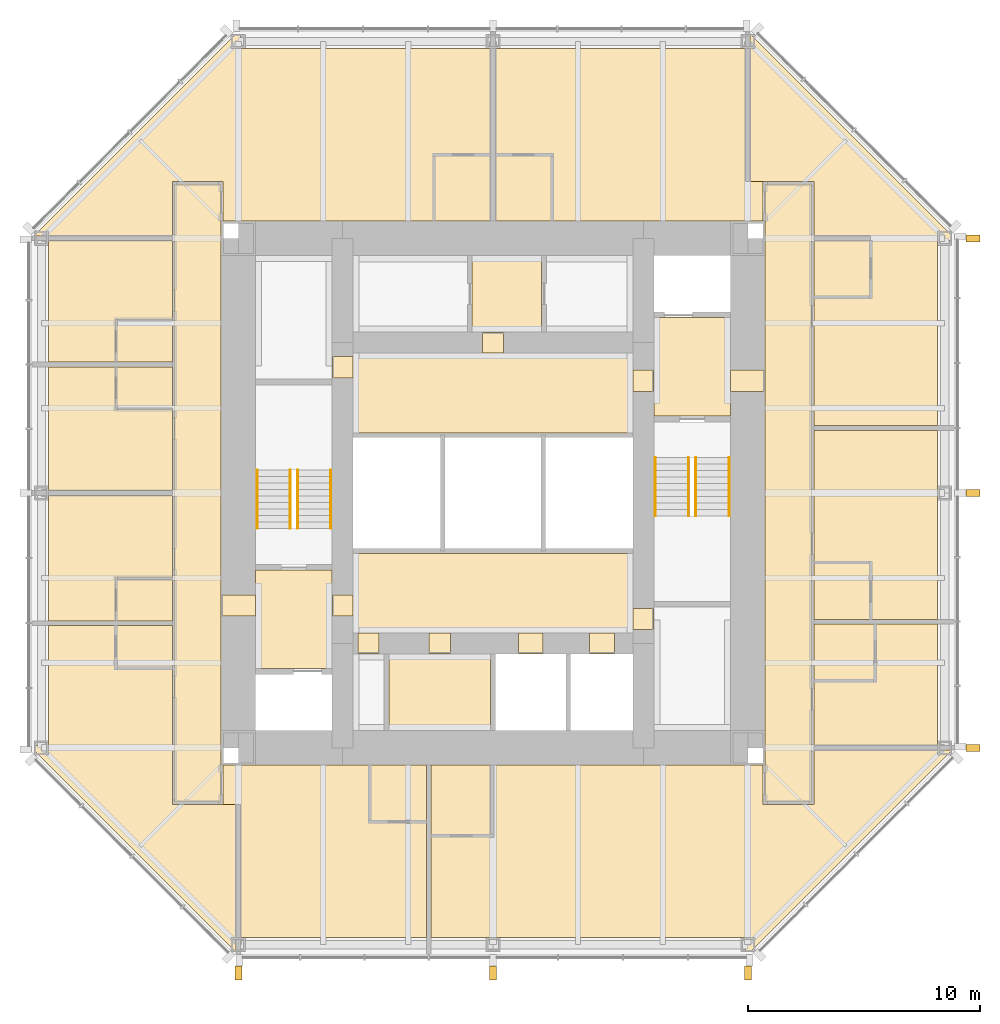
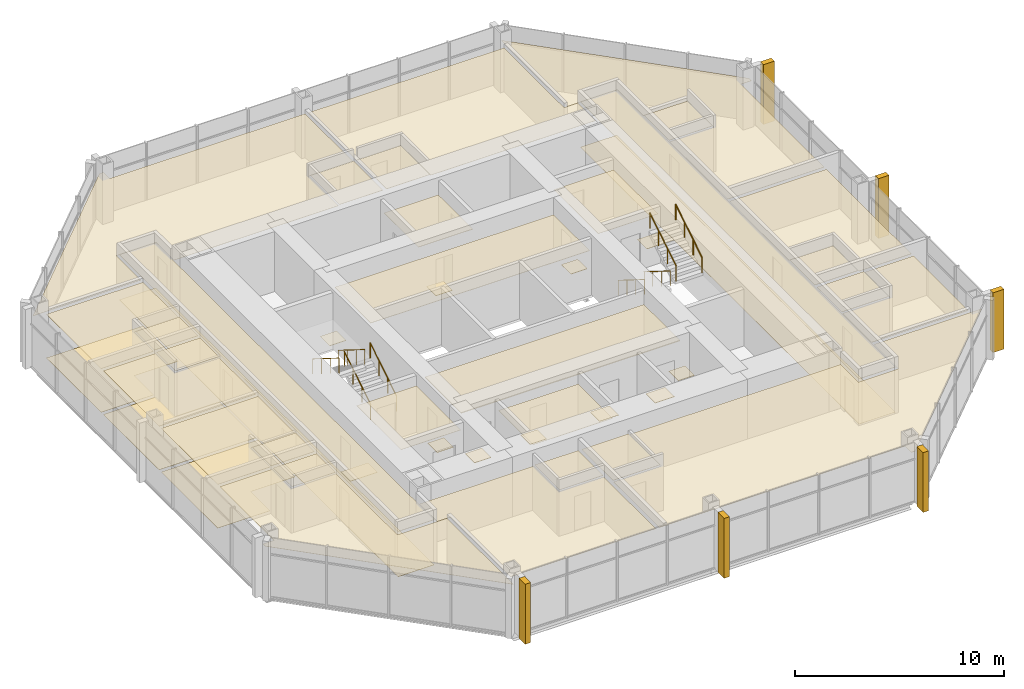
# One storey, part 11 of 11: 52 coverings, 8 railings.
"""IFC4 building model written with IfcOpenShell, lengths in metres."""

from ifc_helpers import new_model, si_unit, direction, frame, origin, origin_2d, place, context, subcontext, project, spatial, polyline, rectangle, circle, outline, extrude, material, layer, layer_set, type_object, element, save


model = new_model("IFC4")

# Units and contexts
model_context = context("Model", 3, precision=1e-05, world=origin(), true_north=direction((0.0, 1.0)))
body_context = subcontext(model_context, "Body", "Model", "MODEL_VIEW")
ifc_project = project(units=[si_unit("LENGTHUNIT", "METRE"), si_unit("AREAUNIT", "SQUARE_METRE"), si_unit("VOLUMEUNIT", "CUBIC_METRE"), si_unit("PLANEANGLEUNIT", "RADIAN"), si_unit("MASSUNIT", "GRAM", prefix="KILO")], contexts=[model_context])

# Site, building, storey
site_placement = place(None, origin())
site = spatial("IfcSite", under=ifc_project, at=site_placement, CompositionType="ELEMENT")
building_placement = place(site_placement, origin())
building = spatial("IfcBuilding", under=site, at=building_placement, Name="Trevanion Tower", CompositionType="ELEMENT")
storey_placement = place(building_placement, frame((0.0, 0.0, 222.199951171875)))
storey = spatial("IfcBuildingStorey", under=building, at=storey_placement, Name="L53", CompositionType="ELEMENT", Elevation=222.199951171875)

# Coverings
ifc_material_1 = material(Name="Fibrous plaster coffers on suspended steel grid", Category="steel")
ifc_layer_1 = layer(ifc_material_1, 0.050048828125)
ifc_layer_set_1 = layer_set([ifc_layer_1], Name="CL1 coffered fibrous plaster ceiling 50")
covering_type_1 = type_object("IfcCoveringType", Name="CL1 coffered fibrous plaster ceiling 50", PredefinedType="CEILING", material=ifc_layer_set_1)
covering_1_placement = place(storey_placement, frame((0.0, 0.0, 2.429931640625)))
element("IfcCovering", 1, at=covering_1_placement, inside=storey, type_object=covering_type_1, Name="CL1 L53-LBS", PredefinedType="CEILING", context=body_context, shape_type="SweptSolid", body=[
    extrude(outline(polyline([(6.050048828125, -6.050048828125), (6.050048828125, -2.60009765625), (-6.050048828125, -2.60009765625), (-6.050048828125, -6.050048828125), (6.050048828125, -6.050048828125)])), origin(), (0.0, 0.0, 1.0), 0.050048828125),
])
ifc_material_2 = material(Name="Mineral fibre acoustic tiles in exposed grid", Category="mineral fibre")
ifc_layer_2 = layer(ifc_material_2, 0.02001953125)
ifc_layer_set_2 = layer_set([ifc_layer_2], Name="CL2 acoustic tile ceiling 20")
covering_type_2 = type_object("IfcCoveringType", Name="CL2 acoustic tile ceiling 20", PredefinedType="CEILING", material=ifc_layer_set_2)
covering_2_placement = place(storey_placement, frame((0.0, 0.0, 2.4599609375)))
element("IfcCovering", 2, at=covering_2_placement, inside=storey, type_object=covering_type_2, Name="CL2 L53-LBN", PredefinedType="CEILING", context=body_context, shape_type="SweptSolid", body=[
    extrude(outline(polyline([(6.050048828125, 2.60009765625), (6.050048828125, 6.050048828125), (-6.050048828125, 6.050048828125), (-6.050048828125, 2.60009765625), (6.050048828125, 2.60009765625)])), origin(), (0.0, 0.0, 1.0), 0.02001953125),
])
covering_3_placement = place(storey_placement, frame((0.0, 0.0, 2.4599609375)))
element("IfcCovering", 3, at=covering_3_placement, inside=storey, type_object=covering_type_2, Name="CL2 L53-HKC", PredefinedType="CEILING", context=body_context, shape_type="SweptSolid", body=[
    extrude(outline(polyline([(2.10009765625, 6.949951171875), (2.10009765625, 10.25), (-0.89990234375, 10.25), (-0.89990234375, 6.949951171875), (2.10009765625, 6.949951171875)])), origin(), (0.0, 0.0, 1.0), 0.02001953125),
])
covering_4_placement = place(storey_placement, frame((0.0, 0.0, 2.633056640625)))
element("IfcCovering", 4, at=covering_4_placement, inside=storey, type_object=covering_type_2, Name="CL2 L53-CO1", PredefinedType="CEILING", context=body_context, shape_type="SweptSolid", body=[
    extrude(outline(polyline([(-11.75, 13.35009765625), (-11.75, -13.35009765625), (-13.75, -13.35009765625), (-13.75, 13.35009765625), (-11.75, 13.35009765625)])), origin(), (0.0, 0.0, 1.0), 0.02001953125),
])
covering_5_placement = place(storey_placement, frame((0.0, 0.0, 2.633056640625)))
element("IfcCovering", 5, at=covering_5_placement, inside=storey, type_object=covering_type_2, Name="CL2 L53-CO2", PredefinedType="CEILING", context=body_context, shape_type="SweptSolid", body=[
    extrude(outline(polyline([(11.75, -13.35009765625), (11.75, 13.35009765625), (13.75, 13.35009765625), (13.75, -13.35009765625), (11.75, -13.35009765625)])), origin(), (0.0, 0.0, 1.0), 0.02001953125),
])
ifc_material_3 = material(Name="Gypsum plasterboard on suspended metal furring", Category="gypsum")
ifc_layer_3 = layer(ifc_material_3, 0.012939453125)
ifc_layer_set_3 = layer_set([ifc_layer_3], Name="CL3 plasterboard ceiling 13")
covering_type_3 = type_object("IfcCoveringType", Name="CL3 plasterboard ceiling 13", PredefinedType="CEILING", material=ifc_layer_set_3)
covering_6_placement = place(storey_placement, frame((0.0, 0.0, 2.699951171875)))
element("IfcCovering", 6, at=covering_6_placement, inside=storey, type_object=covering_type_3, Name="CL3 L53-FV1", PredefinedType="CEILING", context=body_context, shape_type="SweptSolid", body=[
    extrude(outline(polyline([(10.25, 3.324951171875), (10.25, 7.574951171875), (6.949951171875, 7.574951171875), (6.949951171875, 3.324951171875), (10.25, 3.324951171875)])), origin(), (0.0, 0.0, 1.0), 0.01318359375),
])
covering_7_placement = place(storey_placement, frame((0.0, 0.0, 2.699951171875)))
element("IfcCovering", 7, at=covering_7_placement, inside=storey, type_object=covering_type_3, Name="CL3 L53-FV2", PredefinedType="CEILING", context=body_context, shape_type="SweptSolid", body=[
    extrude(outline(polyline([(-10.25, -3.324951171875), (-10.25, -7.574951171875), (-6.949951171875, -7.574951171875), (-6.949951171875, -3.324951171875), (-10.25, -3.324951171875)])), origin(), (0.0, 0.0, 1.0), 0.01318359375),
])
covering_8_placement = place(storey_placement, frame((0.0, 0.0, 2.551025390625)))
element("IfcCovering", 8, at=covering_8_placement, inside=storey, type_object=covering_type_3, Name="CL3 L53-GA", PredefinedType="CEILING", context=body_context, shape_type="SweptSolid", body=[
    extrude(outline(polyline([(13.85009765625, -8.09912109375), (16.5, -8.09912109375), (16.5, -5.64892578125), (19.199951171875, -5.64892578125), (19.199951171875, -10.89990234375), (13.85009765625, -10.89990234375), (13.85009765625, -8.09912109375)])), origin(), (0.0, 0.0, 1.0), 0.012939453125),
])
covering_9_placement = place(storey_placement, frame((0.0, 0.0, 2.551025390625)))
element("IfcCovering", 9, at=covering_9_placement, inside=storey, type_object=covering_type_3, Name="CL3 L53-GJ", PredefinedType="CEILING", context=body_context, shape_type="SweptSolid", body=[
    extrude(outline(polyline([(13.85009765625, 2.70703125), (19.199951171875, 2.70703125), (19.199951171875, -5.448974609375), (16.300048828125, -5.448974609375), (16.300048828125, -2.9990234375), (13.85009765625, -2.9990234375), (13.85009765625, 2.70703125)])), origin(), (0.0, 0.0, 1.0), 0.012939453125),
])
covering_10_placement = place(storey_placement, frame((0.0, 0.0, 2.551025390625)))
element("IfcCovering", 10, at=covering_10_placement, inside=storey, type_object=covering_type_3, Name="CL3 L53-GJ2", PredefinedType="CEILING", context=body_context, shape_type="SweptSolid", body=[
    extrude(outline(polyline([(11.10009765625, 13.449951171875), (11.10009765625, 19.800048828125), (11.124267578125, 19.800048828125), (19.800048828125, 11.124267578125), (19.800048828125, 10.89990234375), (19.199951171875, 10.89990234375), (19.199951171875, 2.906982421875), (13.85009765625, 2.906982421875), (13.85009765625, 8.449951171875), (16.300048828125, 8.449951171875), (16.300048828125, 10.949951171875), (13.85009765625, 10.949951171875), (13.85009765625, 13.449951171875), (11.10009765625, 13.449951171875)])), origin(), (0.0, 0.0, 1.0), 0.012939453125),
])
covering_11_placement = place(storey_placement, frame((0.0, 0.0, 2.551025390625)))
element("IfcCovering", 11, at=covering_11_placement, inside=storey, type_object=covering_type_3, Name="CL3 L53-GB", PredefinedType="CEILING", context=body_context, shape_type="SweptSolid", body=[
    extrude(outline(polyline([(0.10009765625, 19.199951171875), (10.89990234375, 19.199951171875), (10.89990234375, 13.449951171875), (11.64990234375, 13.449951171875), (11.64990234375, 11.75), (2.550048828125, 11.75), (2.550048828125, 14.60009765625), (0.10009765625, 14.60009765625), (0.10009765625, 19.199951171875)])), origin(), (0.0, 0.0, 1.0), 0.012939453125),
])
covering_12_placement = place(storey_placement, frame((0.0, 0.0, 2.551025390625)))
element("IfcCovering", 12, at=covering_12_placement, inside=storey, type_object=covering_type_3, Name="CL3 L53-GB2", PredefinedType="CEILING", context=body_context, shape_type="SweptSolid", body=[
    extrude(outline(polyline([(-13.85009765625, 11.10009765625), (-19.800048828125, 11.10009765625), (-19.800048828125, 11.124267578125), (-11.124267578125, 19.800048828125), (-10.89990234375, 19.800048828125), (-10.89990234375, 19.199951171875), (-0.10009765625, 19.199951171875), (-0.10009765625, 14.60009765625), (-2.550048828125, 14.60009765625), (-2.550048828125, 11.75), (-11.64990234375, 11.75), (-11.64990234375, 13.449951171875), (-13.85009765625, 13.449951171875), (-13.85009765625, 11.10009765625)])), origin(), (0.0, 0.0, 1.0), 0.012939453125),
])
covering_13_placement = place(storey_placement, frame((0.0, 0.0, 2.551025390625)))
element("IfcCovering", 13, at=covering_13_placement, inside=storey, type_object=covering_type_3, Name="CL3 L53-GR", PredefinedType="CEILING", context=body_context, shape_type="SweptSolid", body=[
    extrude(outline(polyline([(-13.85009765625, 7.4990234375), (-16.300048828125, 7.4990234375), (-16.300048828125, 5.64892578125), (-19.199951171875, 5.64892578125), (-19.199951171875, 10.89990234375), (-13.85009765625, 10.89990234375), (-13.85009765625, 7.4990234375)])), origin(), (0.0, 0.0, 1.0), 0.012939453125),
])
covering_14_placement = place(storey_placement, frame((0.0, 0.0, 2.551025390625)))
element("IfcCovering", 14, at=covering_14_placement, inside=storey, type_object=covering_type_3, Name="CL3 L53-GR2", PredefinedType="CEILING", context=body_context, shape_type="SweptSolid", body=[
    extrude(outline(polyline([(-13.85009765625, 0.10009765625), (-19.199951171875, 0.10009765625), (-19.199951171875, 5.448974609375), (-16.300048828125, 5.448974609375), (-16.300048828125, 3.59912109375), (-13.85009765625, 3.59912109375), (-13.85009765625, 0.10009765625)])), origin(), (0.0, 0.0, 1.0), 0.012939453125),
])
covering_15_placement = place(storey_placement, frame((0.0, 0.0, 2.551025390625)))
element("IfcCovering", 15, at=covering_15_placement, inside=storey, type_object=covering_type_3, Name="CL3 L53-GR3", PredefinedType="CEILING", context=body_context, shape_type="SweptSolid", body=[
    extrude(outline(polyline([(-13.85009765625, -3.6640625), (-16.300048828125, -3.6640625), (-16.300048828125, -5.513916015625), (-19.199951171875, -5.513916015625), (-19.199951171875, -0.10009765625), (-13.85009765625, -0.10009765625), (-13.85009765625, -3.6640625)])), origin(), (0.0, 0.0, 1.0), 0.012939453125),
])
covering_16_placement = place(storey_placement, frame((0.0, 0.0, 2.551025390625)))
element("IfcCovering", 16, at=covering_16_placement, inside=storey, type_object=covering_type_3, Name="CL3 L53-GR4", PredefinedType="CEILING", context=body_context, shape_type="SweptSolid", body=[
    extrude(outline(polyline([(-11.10009765625, -13.449951171875), (-11.10009765625, -19.800048828125), (-11.124267578125, -19.800048828125), (-19.800048828125, -11.124267578125), (-19.800048828125, -10.89990234375), (-19.199951171875, -10.89990234375), (-19.199951171875, -5.714111328125), (-16.300048828125, -5.714111328125), (-16.300048828125, -7.56396484375), (-13.85009765625, -7.56396484375), (-13.85009765625, -13.449951171875), (-11.10009765625, -13.449951171875)])), origin(), (0.0, 0.0, 1.0), 0.012939453125),
])
covering_17_placement = place(storey_placement, frame((0.0, 0.0, 2.551025390625)))
element("IfcCovering", 17, at=covering_17_placement, inside=storey, type_object=covering_type_3, Name="CL3 L53-GJ3", PredefinedType="CEILING", context=body_context, shape_type="SweptSolid", body=[
    extrude(outline(polyline([(-2.875, -19.199951171875), (-10.89990234375, -19.199951171875), (-10.89990234375, -13.449951171875), (-11.64990234375, -13.449951171875), (-11.64990234375, -11.75), (-5.324951171875, -11.75), (-5.324951171875, -14.199951171875), (-2.875, -14.199951171875), (-2.875, -19.199951171875)])), origin(), (0.0, 0.0, 1.0), 0.012939453125),
])
covering_18_placement = place(storey_placement, frame((0.0, 0.0, 2.551025390625)))
element("IfcCovering", 18, at=covering_18_placement, inside=storey, type_object=covering_type_3, Name="CL3 L53-GY", PredefinedType="CEILING", context=body_context, shape_type="SweptSolid", body=[
    extrude(outline(polyline([(13.85009765625, -11.10009765625), (19.800048828125, -11.10009765625), (19.800048828125, -11.124267578125), (11.124267578125, -19.800048828125), (10.89990234375, -19.800048828125), (10.89990234375, -19.199951171875), (-2.675048828125, -19.199951171875), (-2.675048828125, -14.800048828125), (-0.02490234375, -14.800048828125), (-0.02490234375, -11.75), (11.64990234375, -11.75), (11.64990234375, -13.449951171875), (13.85009765625, -13.449951171875), (13.85009765625, -11.10009765625)])), origin(), (0.0, 0.0, 1.0), 0.012939453125),
])
ifc_material_4 = material(Name="Moisture-resistant gypsum board on suspended metal furring", Category="gypsum")
ifc_layer_4 = layer(ifc_material_4, 0.01611328125)
ifc_layer_set_4 = layer_set([ifc_layer_4], Name="CL4 moisture-resistant board ceiling 16")
covering_type_4 = type_object("IfcCoveringType", Name="CL4 moisture-resistant board ceiling 16", PredefinedType="CEILING", material=ifc_layer_set_4)
covering_19_placement = place(storey_placement, frame((0.0, 0.0, 2.60009765625)))
element("IfcCovering", 19, at=covering_19_placement, inside=storey, type_object=covering_type_4, Name="CL4 L53-SI2", PredefinedType="CEILING", context=body_context, shape_type="SweptSolid", body=[
    extrude(outline(polyline([(-0.10009765625, -10.25), (-0.10009765625, -6.949951171875), (-4.5, -6.949951171875), (-4.5, -10.25), (-0.10009765625, -10.25)])), origin(), (0.0, 0.0, 1.0), 0.015869140625),
])
covering_20_placement = place(storey_placement, frame((0.0, 0.0, 2.60009765625)))
element("IfcCovering", 20, at=covering_20_placement, inside=storey, type_object=covering_type_4, Name="CL4 L53-EN", PredefinedType="CEILING", context=body_context, shape_type="SweptSolid", body=[
    extrude(outline(polyline([(16.449951171875, -8.049072265625), (16.449951171875, -5.64892578125), (13.85009765625, -5.64892578125), (13.85009765625, -8.049072265625), (16.449951171875, -8.049072265625)])), origin(), (0.0, 0.0, 1.0), 0.015869140625),
])
covering_21_placement = place(storey_placement, frame((0.0, 0.0, 2.60009765625)))
element("IfcCovering", 21, at=covering_21_placement, inside=storey, type_object=covering_type_4, Name="CL4 L53-EN2", PredefinedType="CEILING", context=body_context, shape_type="SweptSolid", body=[
    extrude(outline(polyline([(16.25, -5.448974609375), (16.25, -3.049072265625), (13.85009765625, -3.049072265625), (13.85009765625, -5.448974609375), (16.25, -5.448974609375)])), origin(), (0.0, 0.0, 1.0), 0.015869140625),
])
covering_22_placement = place(storey_placement, frame((0.0, 0.0, 2.60009765625)))
element("IfcCovering", 22, at=covering_22_placement, inside=storey, type_object=covering_type_4, Name="CL4 L53-EN3", PredefinedType="CEILING", context=body_context, shape_type="SweptSolid", body=[
    extrude(outline(polyline([(16.25, 8.5), (16.25, 10.89990234375), (13.85009765625, 10.89990234375), (13.85009765625, 8.5), (16.25, 8.5)])), origin(), (0.0, 0.0, 1.0), 0.015869140625),
])
covering_23_placement = place(storey_placement, frame((0.0, 0.0, 2.60009765625)))
element("IfcCovering", 23, at=covering_23_placement, inside=storey, type_object=covering_type_4, Name="CL4 L53-EN4", PredefinedType="CEILING", context=body_context, shape_type="SweptSolid", body=[
    extrude(outline(polyline([(2.5, 14.550048828125), (0.10009765625, 14.550048828125), (0.10009765625, 11.75), (2.5, 11.75), (2.5, 14.550048828125)])), origin(), (0.0, 0.0, 1.0), 0.015869140625),
])
covering_24_placement = place(storey_placement, frame((0.0, 0.0, 2.60009765625)))
element("IfcCovering", 24, at=covering_24_placement, inside=storey, type_object=covering_type_4, Name="CL4 L53-EN5", PredefinedType="CEILING", context=body_context, shape_type="SweptSolid", body=[
    extrude(outline(polyline([(-0.10009765625, 14.550048828125), (-2.5, 14.550048828125), (-2.5, 11.75), (-0.10009765625, 11.75), (-0.10009765625, 14.550048828125)])), origin(), (0.0, 0.0, 1.0), 0.015869140625),
])
covering_25_placement = place(storey_placement, frame((0.0, 0.0, 2.60009765625)))
element("IfcCovering", 25, at=covering_25_placement, inside=storey, type_object=covering_type_4, Name="CL4 L53-EN6", PredefinedType="CEILING", context=body_context, shape_type="SweptSolid", body=[
    extrude(outline(polyline([(-16.25, 7.448974609375), (-16.25, 5.64892578125), (-13.85009765625, 5.64892578125), (-13.85009765625, 7.448974609375), (-16.25, 7.448974609375)])), origin(), (0.0, 0.0, 1.0), 0.015869140625),
])
covering_26_placement = place(storey_placement, frame((0.0, 0.0, 2.60009765625)))
element("IfcCovering", 26, at=covering_26_placement, inside=storey, type_object=covering_type_4, Name="CL4 L53-EN7", PredefinedType="CEILING", context=body_context, shape_type="SweptSolid", body=[
    extrude(outline(polyline([(-16.25, 5.448974609375), (-16.25, 3.64892578125), (-13.85009765625, 3.64892578125), (-13.85009765625, 5.448974609375), (-16.25, 5.448974609375)])), origin(), (0.0, 0.0, 1.0), 0.015869140625),
])
covering_27_placement = place(storey_placement, frame((0.0, 0.0, 2.60009765625)))
element("IfcCovering", 27, at=covering_27_placement, inside=storey, type_object=covering_type_4, Name="CL4 L53-EN8", PredefinedType="CEILING", context=body_context, shape_type="SweptSolid", body=[
    extrude(outline(polyline([(-16.25, -3.714111328125), (-16.25, -5.513916015625), (-13.85009765625, -5.513916015625), (-13.85009765625, -3.714111328125), (-16.25, -3.714111328125)])), origin(), (0.0, 0.0, 1.0), 0.015869140625),
])
covering_28_placement = place(storey_placement, frame((0.0, 0.0, 2.60009765625)))
element("IfcCovering", 28, at=covering_28_placement, inside=storey, type_object=covering_type_4, Name="CL4 L53-EN9", PredefinedType="CEILING", context=body_context, shape_type="SweptSolid", body=[
    extrude(outline(polyline([(-16.25, -5.714111328125), (-16.25, -7.513916015625), (-13.85009765625, -7.513916015625), (-13.85009765625, -5.714111328125), (-16.25, -5.714111328125)])), origin(), (0.0, 0.0, 1.0), 0.015869140625),
])
covering_29_placement = place(storey_placement, frame((0.0, 0.0, 2.60009765625)))
element("IfcCovering", 29, at=covering_29_placement, inside=storey, type_object=covering_type_4, Name="CL4 L53-EN10", PredefinedType="CEILING", context=body_context, shape_type="SweptSolid", body=[
    extrude(outline(polyline([(-5.27490234375, -14.14990234375), (-2.875, -14.14990234375), (-2.875, -11.75), (-5.27490234375, -11.75), (-5.27490234375, -14.14990234375)])), origin(), (0.0, 0.0, 1.0), 0.015869140625),
])
covering_30_placement = place(storey_placement, frame((0.0, 0.0, 2.60009765625)))
element("IfcCovering", 30, at=covering_30_placement, inside=storey, type_object=covering_type_4, Name="CL4 L53-EN11", PredefinedType="CEILING", context=body_context, shape_type="SweptSolid", body=[
    extrude(outline(polyline([(-2.675048828125, -14.75), (-0.074951171875, -14.75), (-0.074951171875, -11.75), (-2.675048828125, -11.75), (-2.675048828125, -14.75)])), origin(), (0.0, 0.0, 1.0), 0.015869140625),
])
ifc_material_5 = material(Name="Cast bronze fin on aluminium carrier", Category="aluminium")
covering_type_5 = type_object("IfcCoveringType", Name="F1 bronze fin", PredefinedType="CLADDING", material=ifc_material_5)
for number, where, z_axis, x_axis, name in (
    (31, (20.72509765625, -11.0, -0.18994140625), (0.0, 0.0, 1.0), (0.0, 1.0, 0.0), "F1 L53 east -11.0"),
    (32, (20.72509765625, 0.0, -0.18994140625), (0.0, 0.0, 1.0), (0.0, 1.0, 0.0), "F1 L53 east +0.0"),
    (33, (20.72509765625, 11.0, -0.18994140625), (0.0, 0.0, 1.0), (0.0, 1.0, 0.0), "F1 L53 east +11.0"),
    (34, (-11.0, -20.72509765625, -0.18994140625), (0.0, 0.0, 1.0), (1.0, 0.0, 0.0), "F1 L53 south -11.0"),
    (35, (0.0, -20.72509765625, -0.18994140625), (0.0, 0.0, 1.0), (1.0, 0.0, 0.0), "F1 L53 south +0.0"),
    (36, (11.0, -20.72509765625, -0.18994140625), (0.0, 0.0, 1.0), (1.0, 0.0, 0.0), "F1 L53 south +11.0"),
):
    element("IfcCovering", number, at=place(storey_placement, frame(where, z_axis=z_axis, x_axis=x_axis)), inside=storey, type_object=covering_type_5, Name=name, PredefinedType="CLADDING", context=body_context, shape_type="SweptSolid", body=[
        extrude(rectangle(XDim=0.300048828125, YDim=0.60009765625, at=origin_2d()), origin(), (0.0, 0.0, 1.0), 3.5),
    ])
ifc_material_6 = material(Name="Terrazzo, brass divider strips", Category="stone")
ifc_layer_5 = layer(ifc_material_6, 0.02001953125)
ifc_layer_set_5 = layer_set([ifc_layer_5], Name="FF1 terrazzo flooring")
covering_type_6 = type_object("IfcCoveringType", Name="FF1 terrazzo flooring", PredefinedType="FLOORING", material=ifc_layer_set_5)
covering_31_placement = place(storey_placement, origin())
element("IfcCovering", 37, at=covering_31_placement, inside=storey, type_object=covering_type_6, Name="FF1 threshold 53-001", PredefinedType="FLOORING", context=body_context, shape_type="SweptSolid", body=[
    extrude(outline(polyline([(11.75, 4.392578125), (11.75, 5.3076171875), (10.25, 5.3076171875), (10.25, 4.392578125), (11.75, 4.392578125)])), origin(), (0.0, 0.0, 1.0), 0.02001953125),
])
covering_32_placement = place(storey_placement, origin())
element("IfcCovering", 38, at=covering_32_placement, inside=storey, type_object=covering_type_6, Name="FF1 threshold 53-002", PredefinedType="FLOORING", context=body_context, shape_type="SweptSolid", body=[
    extrude(outline(polyline([(-11.75, -4.392578125), (-11.75, -5.3076171875), (-10.25, -5.3076171875), (-10.25, -4.392578125), (-11.75, -4.392578125)])), origin(), (0.0, 0.0, 1.0), 0.02001953125),
])
covering_33_placement = place(storey_placement, origin())
element("IfcCovering", 39, at=covering_33_placement, inside=storey, type_object=covering_type_6, Name="FF1 threshold 53-003", PredefinedType="FLOORING", context=body_context, shape_type="SweptSolid", body=[
    extrude(outline(polyline([(6.949951171875, 4.392578125), (6.949951171875, 5.3076171875), (6.050048828125, 5.3076171875), (6.050048828125, 4.392578125), (6.949951171875, 4.392578125)])), origin(), (0.0, 0.0, 1.0), 0.02001953125),
])
covering_34_placement = place(storey_placement, origin())
element("IfcCovering", 40, at=covering_34_placement, inside=storey, type_object=covering_type_6, Name="FF1 threshold 53-004", PredefinedType="FLOORING", context=body_context, shape_type="SweptSolid", body=[
    extrude(outline(polyline([(-6.949951171875, -4.392578125), (-6.949951171875, -5.3076171875), (-6.050048828125, -5.3076171875), (-6.050048828125, -4.392578125), (-6.949951171875, -4.392578125)])), origin(), (0.0, 0.0, 1.0), 0.02001953125),
])
covering_35_placement = place(storey_placement, origin())
element("IfcCovering", 41, at=covering_35_placement, inside=storey, type_object=covering_type_6, Name="FF1 threshold 53-009", PredefinedType="FLOORING", context=body_context, shape_type="SweptSolid", body=[
    extrude(outline(polyline([(6.949951171875, -5.889892578125), (6.949951171875, -4.97509765625), (6.050048828125, -4.97509765625), (6.050048828125, -5.889892578125), (6.949951171875, -5.889892578125)])), origin(), (0.0, 0.0, 1.0), 0.02001953125),
])
covering_36_placement = place(storey_placement, origin())
element("IfcCovering", 42, at=covering_36_placement, inside=storey, type_object=covering_type_6, Name="FF1 threshold 53-010", PredefinedType="FLOORING", context=body_context, shape_type="SweptSolid", body=[
    extrude(outline(polyline([(-6.949951171875, 5.889892578125), (-6.949951171875, 4.97509765625), (-6.050048828125, 4.97509765625), (-6.050048828125, 5.889892578125), (-6.949951171875, 5.889892578125)])), origin(), (0.0, 0.0, 1.0), 0.02001953125),
])
covering_37_placement = place(storey_placement, origin())
element("IfcCovering", 43, at=covering_37_placement, inside=storey, type_object=covering_type_6, Name="FF1 threshold 53-011", PredefinedType="FLOORING", context=body_context, shape_type="SweptSolid", body=[
    extrude(outline(polyline([(1.091552734375, -6.949951171875), (2.158447265625, -6.949951171875), (2.158447265625, -6.050048828125), (1.091552734375, -6.050048828125), (1.091552734375, -6.949951171875)])), origin(), (0.0, 0.0, 1.0), 0.02001953125),
])
covering_38_placement = place(storey_placement, origin())
element("IfcCovering", 44, at=covering_38_placement, inside=storey, type_object=covering_type_6, Name="FF1 threshold 53-012", PredefinedType="FLOORING", context=body_context, shape_type="SweptSolid", body=[
    extrude(outline(polyline([(4.16650390625, -6.949951171875), (5.2333984375, -6.949951171875), (5.2333984375, -6.050048828125), (4.16650390625, -6.050048828125), (4.16650390625, -6.949951171875)])), origin(), (0.0, 0.0, 1.0), 0.02001953125),
])
covering_39_placement = place(storey_placement, origin())
element("IfcCovering", 45, at=covering_39_placement, inside=storey, type_object=covering_type_6, Name="FF1 threshold 53-013", PredefinedType="FLOORING", context=body_context, shape_type="SweptSolid", body=[
    extrude(outline(polyline([(-5.83251953125, -6.949951171875), (-4.91748046875, -6.949951171875), (-4.91748046875, -6.050048828125), (-5.83251953125, -6.050048828125), (-5.83251953125, -6.949951171875)])), origin(), (0.0, 0.0, 1.0), 0.02001953125),
])
covering_40_placement = place(storey_placement, origin())
element("IfcCovering", 46, at=covering_40_placement, inside=storey, type_object=covering_type_6, Name="FF1 threshold 53-014", PredefinedType="FLOORING", context=body_context, shape_type="SweptSolid", body=[
    extrude(outline(polyline([(-2.757568359375, -6.949951171875), (-1.842529296875, -6.949951171875), (-1.842529296875, -6.050048828125), (-2.757568359375, -6.050048828125), (-2.757568359375, -6.949951171875)])), origin(), (0.0, 0.0, 1.0), 0.02001953125),
])
covering_41_placement = place(storey_placement, origin())
element("IfcCovering", 47, at=covering_41_placement, inside=storey, type_object=covering_type_6, Name="FF1 threshold 53-015", PredefinedType="FLOORING", context=body_context, shape_type="SweptSolid", body=[
    extrude(outline(polyline([(0.45751953125, 6.949951171875), (-0.45751953125, 6.949951171875), (-0.45751953125, 6.050048828125), (0.45751953125, 6.050048828125), (0.45751953125, 6.949951171875)])), origin(), (0.0, 0.0, 1.0), 0.02001953125),
])
ifc_material_7 = material(Name="Wool carpet on underlay", Category="textile")
ifc_layer_6 = layer(ifc_material_7, 0.011962890625)
ifc_layer_set_6 = layer_set([ifc_layer_6], Name="FF2 carpet flooring")
covering_type_7 = type_object("IfcCoveringType", Name="FF2 carpet flooring", PredefinedType="FLOORING", material=ifc_layer_set_6)
covering_42_placement = place(storey_placement, origin())
element("IfcCovering", 48, at=covering_42_placement, inside=storey, type_object=covering_type_7, Name="FF2 L53-CO1", PredefinedType="FLOORING", context=body_context, shape_type="SweptSolid", body=[
    extrude(outline(polyline([(-11.75, 13.35009765625), (-11.75, -13.35009765625), (-13.75, -13.35009765625), (-13.75, 13.35009765625), (-11.75, 13.35009765625)])), origin(), (0.0, 0.0, 1.0), 0.011962890625),
])
covering_43_placement = place(storey_placement, origin())
element("IfcCovering", 49, at=covering_43_placement, inside=storey, type_object=covering_type_7, Name="FF2 L53-CO2", PredefinedType="FLOORING", context=body_context, shape_type="SweptSolid", body=[
    extrude(outline(polyline([(11.75, -13.35009765625), (11.75, 13.35009765625), (13.75, 13.35009765625), (13.75, -13.35009765625), (11.75, -13.35009765625)])), origin(), (0.0, 0.0, 1.0), 0.011962890625),
])
covering_44_placement = place(storey_placement, origin())
element("IfcCovering", 50, at=covering_44_placement, inside=storey, type_object=covering_type_7, Name="FF2 L53-GR", PredefinedType="FLOORING", context=body_context, shape_type="SweptSolid", body=[
    extrude(outline(polyline([(-13.85009765625, 7.4990234375), (-16.300048828125, 7.4990234375), (-16.300048828125, 5.64892578125), (-19.199951171875, 5.64892578125), (-19.199951171875, 10.89990234375), (-13.85009765625, 10.89990234375), (-13.85009765625, 7.4990234375)])), origin(), (0.0, 0.0, 1.0), 0.011962890625),
])
covering_45_placement = place(storey_placement, origin())
element("IfcCovering", 51, at=covering_45_placement, inside=storey, type_object=covering_type_7, Name="FF2 L53-GR2", PredefinedType="FLOORING", context=body_context, shape_type="SweptSolid", body=[
    extrude(outline(polyline([(-13.85009765625, 0.10009765625), (-19.199951171875, 0.10009765625), (-19.199951171875, 5.448974609375), (-16.300048828125, 5.448974609375), (-16.300048828125, 3.59912109375), (-13.85009765625, 3.59912109375), (-13.85009765625, 0.10009765625)])), origin(), (0.0, 0.0, 1.0), 0.011962890625),
])
covering_46_placement = place(storey_placement, origin())
element("IfcCovering", 52, at=covering_46_placement, inside=storey, type_object=covering_type_7, Name="FF2 L53-GR3", PredefinedType="FLOORING", context=body_context, shape_type="SweptSolid", body=[
    extrude(outline(polyline([(-13.85009765625, -3.6640625), (-16.300048828125, -3.6640625), (-16.300048828125, -5.513916015625), (-19.199951171875, -5.513916015625), (-19.199951171875, -0.10009765625), (-13.85009765625, -0.10009765625), (-13.85009765625, -3.6640625)])), origin(), (0.0, 0.0, 1.0), 0.011962890625),
])

# Railings
ifc_material_8 = material(Name="Stainless steel tube 40 mm", Category="steel")
railing_type = type_object("IfcRailingType", Name="HR1 handrail", PredefinedType="HANDRAIL", material=ifc_material_8)
for number, where, name in (
    (53, (7.010009765625, 1.52490234375, 0.175048828125), "HR1 ST1 L53 flight 1"),
    (54, (8.43994140625, 1.52490234375, 0.175048828125), "HR1 ST1 L53 flight 1"),
):
    element("IfcRailing", number, at=place(storey_placement, frame(where)), inside=storey, type_object=railing_type, Name=name, PredefinedType="HANDRAIL", context=body_context, shape_type="SweptSolid", body=[
        extrude(circle(Radius=0.02001953125, at=origin_2d()), frame((0.0, 0.0, 0.8798828125), z_axis=(0.0, -0.848007534815, 0.529984170421), x_axis=(1.0, 0.0, 0.0)), (0.0, 0.0, 1.0), 2.9716796875),
        extrude(circle(Radius=0.01513671875, at=origin_2d()), origin(), (0.0, 0.0, 1.0), 0.85986328125),
        extrude(circle(Radius=0.01513671875, at=origin_2d()), frame((0.0, -0.840087890625, 0.52490234375)), (0.0, 0.0, 1.0), 0.85986328125),
        extrude(circle(Radius=0.01513671875, at=origin_2d()), frame((0.0, -1.679931640625, 1.050048828125)), (0.0, 0.0, 1.0), 0.85986328125),
        extrude(circle(Radius=0.01513671875, at=origin_2d()), frame((0.0, -2.52001953125, 1.574951171875)), (0.0, 0.0, 1.0), 0.85986328125),
    ])
for number, where, name in (
    (55, (8.760009765625, -0.9951171875, 1.925048828125), "HR1 ST1 L53 flight 2"),
    (56, (10.18994140625, -0.9951171875, 1.925048828125), "HR1 ST1 L53 flight 2"),
    (57, (-7.010009765625, -1.52490234375, 0.175048828125), "HR1 ST2 L53 flight 1"),
    (58, (-8.43994140625, -1.52490234375, 0.175048828125), "HR1 ST2 L53 flight 1"),
):
    element("IfcRailing", number, at=place(storey_placement, frame(where)), inside=storey, type_object=railing_type, Name=name, PredefinedType="HANDRAIL", context=body_context, shape_type="SweptSolid", body=[
        extrude(circle(Radius=0.02001953125, at=origin_2d()), frame((0.0, 0.0, 0.8798828125), z_axis=(0.0, 0.848007534815, 0.529984170421), x_axis=(-1.0, 0.0, 0.0)), (0.0, 0.0, 1.0), 2.9716796875),
        extrude(circle(Radius=0.01513671875, at=origin_2d()), origin(), (0.0, 0.0, 1.0), 0.85986328125),
        extrude(circle(Radius=0.01513671875, at=origin_2d()), frame((0.0, 0.840087890625, 0.52490234375)), (0.0, 0.0, 1.0), 0.85986328125),
        extrude(circle(Radius=0.01513671875, at=origin_2d()), frame((0.0, 1.679931640625, 1.050048828125)), (0.0, 0.0, 1.0), 0.85986328125),
        extrude(circle(Radius=0.01513671875, at=origin_2d()), frame((0.0, 2.52001953125, 1.574951171875)), (0.0, 0.0, 1.0), 0.85986328125),
    ])
for number, where, name in (
    (59, (-8.760009765625, 0.9951171875, 1.925048828125), "HR1 ST2 L53 flight 2"),
    (60, (-10.18994140625, 0.9951171875, 1.925048828125), "HR1 ST2 L53 flight 2"),
):
    element("IfcRailing", number, at=place(storey_placement, frame(where)), inside=storey, type_object=railing_type, Name=name, PredefinedType="HANDRAIL", context=body_context, shape_type="SweptSolid", body=[
        extrude(circle(Radius=0.02001953125, at=origin_2d()), frame((0.0, 0.0, 0.8798828125), z_axis=(0.0, -0.848007534815, 0.529984170421), x_axis=(1.0, 0.0, 0.0)), (0.0, 0.0, 1.0), 2.9716796875),
        extrude(circle(Radius=0.01513671875, at=origin_2d()), origin(), (0.0, 0.0, 1.0), 0.85986328125),
        extrude(circle(Radius=0.01513671875, at=origin_2d()), frame((0.0, -0.840087890625, 0.52490234375)), (0.0, 0.0, 1.0), 0.85986328125),
        extrude(circle(Radius=0.01513671875, at=origin_2d()), frame((0.0, -1.679931640625, 1.050048828125)), (0.0, 0.0, 1.0), 0.85986328125),
        extrude(circle(Radius=0.01513671875, at=origin_2d()), frame((0.0, -2.52001953125, 1.574951171875)), (0.0, 0.0, 1.0), 0.85986328125),
    ])

save(model, "model.ifc")
